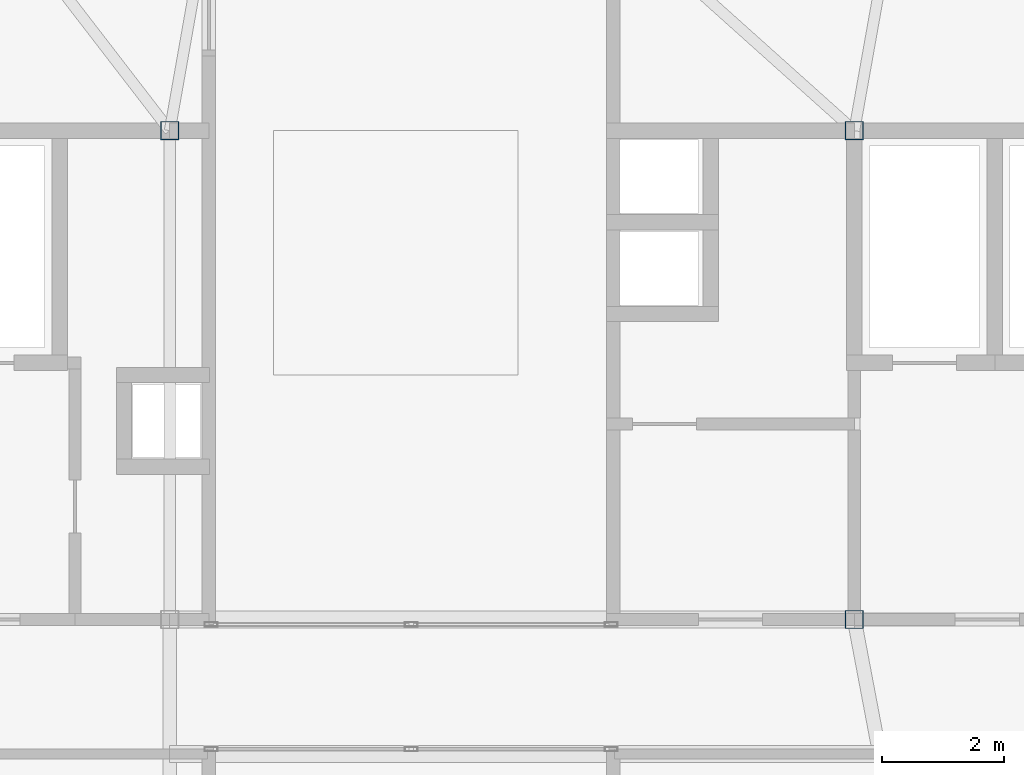
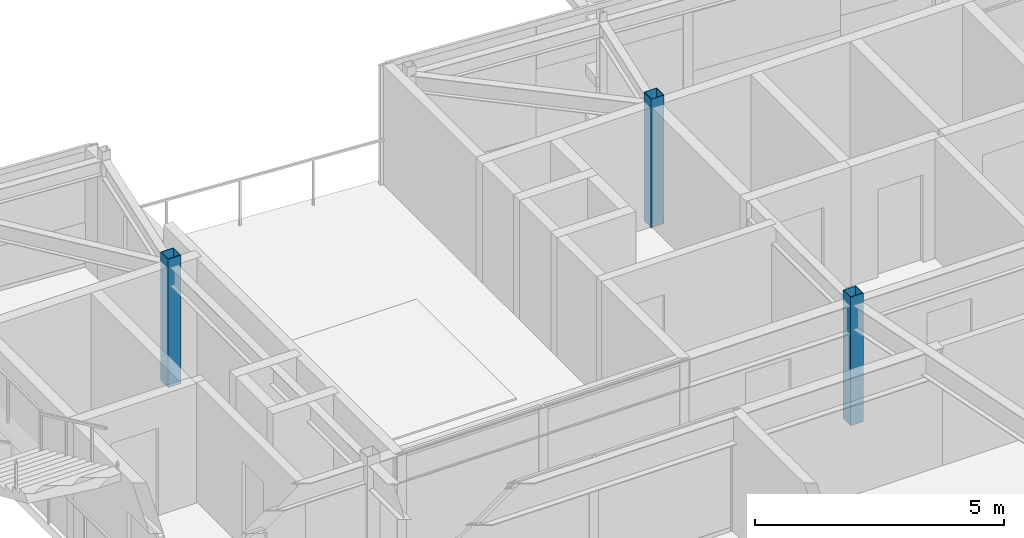
# One storey, part 4 of 36: 3 columns.
"""IFC4 building model written with IfcOpenShell, lengths in metres."""

from ifc_helpers import new_model, si_unit, direction, frame, origin, origin_2d, place, context, subcontext, project, spatial, hollow_rectangle, extrude, source, transform, mapped, material, material_profile, profile_set, type_object, element, save


model = new_model("IFC4")

# Units and contexts
model_context = context("Model", 3, precision=1e-05, world=origin(), true_north=direction((0.0, 1.0)))
body_context = subcontext(model_context, "Body", "Model", "MODEL_VIEW")
ifc_project = project(units=[si_unit("LENGTHUNIT", "METRE"), si_unit("AREAUNIT", "SQUARE_METRE"), si_unit("VOLUMEUNIT", "CUBIC_METRE"), si_unit("PLANEANGLEUNIT", "RADIAN"), si_unit("MASSUNIT", "GRAM", prefix="KILO")], contexts=[model_context])

# Site, building, storey
site_placement = place(None, origin())
site = spatial("IfcSite", under=ifc_project, at=site_placement, CompositionType="ELEMENT")
building_placement = place(site_placement, origin())
building = spatial("IfcBuilding", under=site, at=building_placement, Name="Taldren Reach Tower", CompositionType="ELEMENT")
storey_placement = place(building_placement, frame((0.0, 0.0, 227.14990234375)))
storey = spatial("IfcBuildingStorey", under=building, at=storey_placement, Name="L69", CompositionType="ELEMENT", Elevation=227.14990234375)

# Columns
ifc_material = material(Name="Steel Gr 450 (C450L0)", Category="steel")
ifc_material_profile = material_profile(ifc_material, hollow_rectangle(XDim=0.300048828125, YDim=0.300048828125, WallThickness=0.012451171875, at=origin_2d()), Name="300x300x12.5SHS")
ifc_profile_set = profile_set([ifc_material_profile], Name="Steel Gr 450 (C450L0)")
column_type = type_object("IfcColumnType", Name="COL-SHS300", PredefinedType="COLUMN", material=ifc_profile_set)
shared_shape = source(origin(), body_context, "Body", "SweptSolid", [
    extrude(hollow_rectangle(XDim=0.300048828125, YDim=0.300048828125, WallThickness=0.012451171875, at=origin_2d()), origin(), (0.0, 0.0, 1.0), 3.150146484375),
])
for number, where, z_axis, x_axis, name in (
    (1, (39.199951171875, 24.0, 0.0), (0.0, 0.0, 1.0), (1.0, 0.0, 0.0), "Mega column MC-C3 L69"),
    (2, (28.0, 32.0, 0.0), (0.0, 0.0, 1.0), (1.0, 0.0, 0.0), "Mega column MC-C6 L69"),
    (3, (39.199951171875, 32.0, 0.0), (0.0, 0.0, 1.0), (1.0, 0.0, 0.0), "Mega column MC-C7 L69"),
):
    element("IfcColumn", number, at=place(storey_placement, frame(where, z_axis=z_axis, x_axis=x_axis)), inside=storey, type_object=column_type, Name=name, PredefinedType="COLUMN", context=body_context, shape_type="MappedRepresentation", body=[
        mapped(shared_shape, transform((0.0, 0.0, 0.0), scale=1.0)),
    ])

save(model, "model.ifc")
